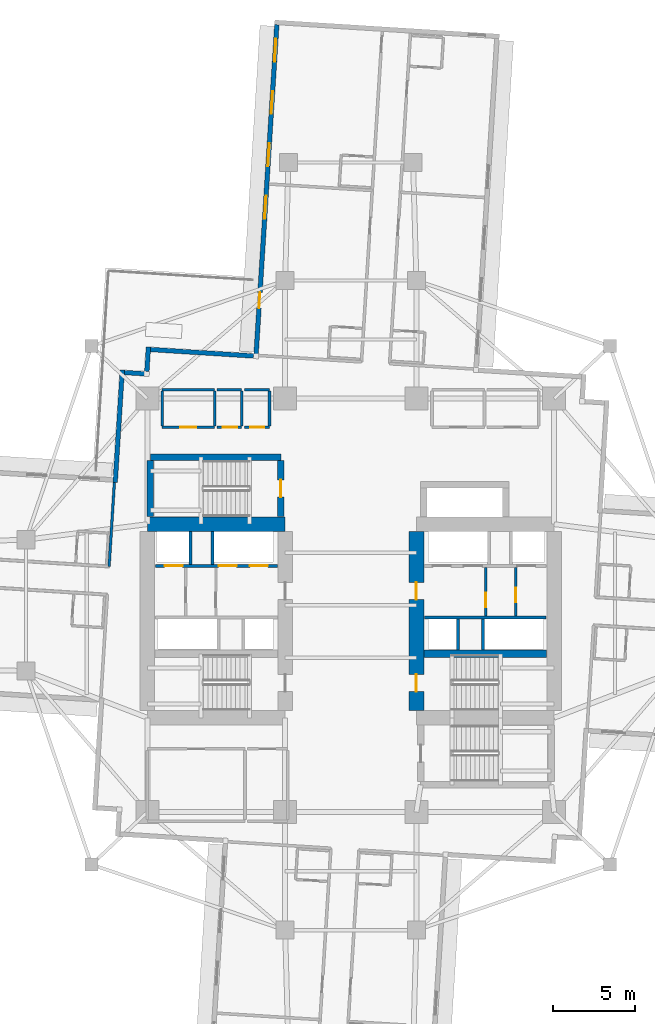
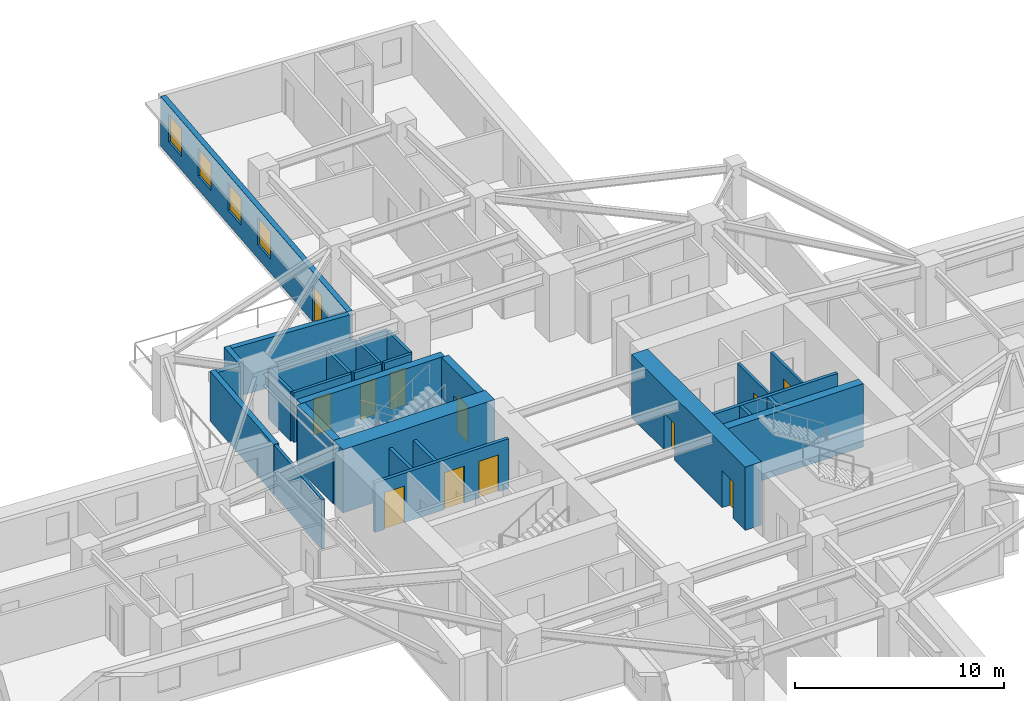
# One storey, part 6 of 14: 30 walls, 12 doors, 4 windows, 16 openings.
"""IFC4 building model written with IfcOpenShell, lengths in metres."""

from ifc_helpers import new_model, si_unit, direction, frame, frame_2d, origin, place, context, subcontext, project, spatial, rectangle, extrude, material, layer, layer_set, type_object, element, fill, save


model = new_model("IFC4")

# Units and contexts
model_context = context("Model", 3, precision=1e-05, world=origin(), true_north=direction((0.0, 1.0)))
body_context = subcontext(model_context, "Body", "Model", "MODEL_VIEW")
ifc_project = project(units=[si_unit("LENGTHUNIT", "METRE"), si_unit("AREAUNIT", "SQUARE_METRE"), si_unit("VOLUMEUNIT", "CUBIC_METRE"), si_unit("PLANEANGLEUNIT", "RADIAN"), si_unit("MASSUNIT", "GRAM", prefix="KILO")], contexts=[model_context])

# Site, building, storey
site_placement = place(None, origin())
site = spatial("IfcSite", under=ifc_project, at=site_placement, CompositionType="ELEMENT")
building_placement = place(site_placement, origin())
building = spatial("IfcBuilding", under=site, at=building_placement, Name="Qingluan Cross Belvedere", CompositionType="ELEMENT")
storey_placement = place(building_placement, frame((0.0, 0.0, 87.300048828125)))
storey = spatial("IfcBuildingStorey", under=building, at=storey_placement, Name="L22", CompositionType="ELEMENT", Elevation=87.300048828125)

# Walls
ifc_material_1 = material(Name="Concrete C50", Category="concrete")
ifc_layer_1 = layer(ifc_material_1, 0.449951171875, Name="CoreShearWall_450")
ifc_layer_set_1 = layer_set([ifc_layer_1], Name="Concrete C50")
wall_type_1 = type_object("IfcWallType", Name="CoreShearWall_450", PredefinedType="SHEAR", material=ifc_layer_set_1)
wall_1_placement = place(storey_placement, frame((4.455078125, -2.9599609375, 0.0), z_axis=(0.0, 0.0, 1.0), x_axis=(1.0, 0.0, 0.0)))
element("IfcWall", 1, at=wall_1_placement, inside=storey, type_object=wall_type_1, Name="Split core E shear wall L22-M", PredefinedType="SHEAR", context=body_context, shape_type="SweptSolid", body=[
    extrude(rectangle(XDim=7.489990234375, YDim=0.449951171875, at=frame_2d((3.7451171875, 0.0))), origin(), (0.0, 0.0, 1.0), 3.699951171875),
])
wall_2_placement = place(storey_placement, frame((-12.219970703125, 9.0400390625, 0.0), z_axis=(0.0, 0.0, 1.0), x_axis=(1.0, 0.0, 0.0)))
element("IfcWall", 2, at=wall_2_placement, inside=storey, type_object=wall_type_1, Name="Stair ST3 structural wall N L22", PredefinedType="SHEAR", context=body_context, shape_type="SweptSolid", body=[
    extrude(rectangle(XDim=7.9599609375, YDim=0.39990234375, at=frame_2d((3.97998046875, 0.0))), origin(), (0.0, 0.0, 1.0), 3.699951171875),
])
wall_3_placement = place(storey_placement, frame((-12.219970703125, 5.405029296875, 0.0), z_axis=(0.0, 0.0, 1.0), x_axis=(0.0, 1.0, 0.0)))
element("IfcWall", 3, at=wall_3_placement, inside=storey, type_object=wall_type_1, Name="Stair ST3 structural wall W L22", PredefinedType="SHEAR", context=body_context, shape_type="SweptSolid", body=[
    extrude(rectangle(XDim=3.429931640625, YDim=0.39990234375, at=frame_2d((1.71484375, 0.0))), origin(), (0.0, 0.0, 1.0), 3.699951171875),
])

# Wall, opening, door
wall_4_placement = place(storey_placement, frame((-4.260009765625, 5.405029296875, 0.0), z_axis=(0.0, 0.0, 1.0), x_axis=(0.0, 1.0, 0.0)))
wall_4 = element("IfcWall", 4, at=wall_4_placement, inside=storey, type_object=wall_type_1, Name="Stair ST3 structural wall E L22", PredefinedType="SHEAR", context=body_context, shape_type="SweptSolid", body=[
    extrude(rectangle(XDim=3.429931640625, YDim=0.39990234375, at=frame_2d((1.71484375, 0.0))), origin(), (0.0, 0.0, 1.0), 3.699951171875),
])
opening_1_placement = place(wall_4_placement, frame((1.195068359375, 0.0, 0.0)))
opening_1 = element("IfcOpeningElement", 5, at=opening_1_placement, cuts=wall_4, Name="Opening FD-B11", PredefinedType="OPENING", context=body_context, shape_type="SweptSolid", body=[
    extrude(rectangle(XDim=1.050048828125, YDim=2.14990234375, at=frame_2d((0.52490234375, 1.074951171875))), frame((0.0, 0.2099609375, 0.0), z_axis=(0.0, -1.0, 0.0), x_axis=(1.0, 0.0, 0.0)), (0.0, 0.0, 1.0), 0.419921875),
])
ifc_material_2 = material(Name="Steel Class B smoke-seal fire door", Category="steel")
door_type_1 = type_object("IfcDoorType", Name="StairLobbyFireDoor_FDB", OperationType="NOTDEFINED", PredefinedType="DOOR", material=ifc_material_2)
door_1_placement = place(opening_1_placement, origin())
door_1 = element("IfcDoor", 6, at=door_1_placement, inside=storey, type_object=door_type_1, Name="Smoke-proof stair ST3 fire door L22", OperationType="SINGLE_SWING_RIGHT", OverallHeight=2.14990234375, OverallWidth=1.050048828125, PredefinedType="DOOR", context=body_context, shape_type="SweptSolid", body=[
    extrude(rectangle(XDim=1.050048828125, YDim=2.14990234375, at=frame_2d((0.52490234375, 1.074951171875))), frame((0.0, 0.02490234375, 0.0), z_axis=(0.0, -1.0, 0.0), x_axis=(1.0, 0.0, 0.0)), (0.0, 0.0, 1.0), 0.050048828125),
])
fill(opening_1, door_1)

# Wall
ifc_material_3 = material(Name="Concrete C70", Category="concrete")
ifc_layer_2 = layer(ifc_material_3, 0.89990234375, Name="CoreShearWall_900")
ifc_layer_set_2 = layer_set([ifc_layer_2], Name="Concrete C70")
wall_type_2 = type_object("IfcWallType", Name="CoreShearWall_900", PredefinedType="SHEAR", material=ifc_layer_set_2)
wall_5_placement = place(storey_placement, frame((-12.39990234375, 4.949951171875, 0.0), z_axis=(0.0, 0.0, 1.0), x_axis=(1.0, 0.0, 0.0)))
element("IfcWall", 7, at=wall_5_placement, inside=storey, type_object=wall_type_2, Name="Split core W shear wall L22-N", PredefinedType="SHEAR", context=body_context, shape_type="SweptSolid", body=[
    extrude(rectangle(XDim=8.39990234375, YDim=0.89990234375, at=frame_2d((4.199951171875, 0.0))), origin(), (0.0, 0.0, 1.0), 3.699951171875),
])

# Wall, openings, doors
wall_6_placement = place(storey_placement, frame((4.0, -6.39501953125, 0.0), z_axis=(0.0, 0.0, 1.0), x_axis=(0.0, 1.0, 0.0)))
wall_6 = element("IfcWall", 8, at=wall_6_placement, inside=storey, type_object=wall_type_2, Name="Split core E shear wall L22-W", PredefinedType="SHEAR", context=body_context, shape_type="SweptSolid", body=[
    extrude(rectangle(XDim=10.89013671875, YDim=0.89990234375, at=frame_2d((5.445068359375, 0.0))), origin(), (0.0, 0.0, 1.0), 3.699951171875),
])
opening_2_placement = place(wall_6_placement, frame((1.14501953125, 0.0, 0.0)))
opening_2 = element("IfcOpeningElement", 9, at=opening_2_placement, cuts=wall_6, Name="Opening FD-B11", PredefinedType="OPENING", context=body_context, shape_type="SweptSolid", body=[
    extrude(rectangle(XDim=1.050048828125, YDim=2.14990234375, at=frame_2d((0.52490234375, 1.074951171875))), frame((0.0, 0.4599609375, 0.0), z_axis=(0.0, -1.0, 0.0), x_axis=(1.0, 0.0, 0.0)), (0.0, 0.0, 1.0), 0.919921875),
])
opening_3_placement = place(wall_6_placement, frame((6.7451171875, 0.0, 0.0)))
opening_3 = element("IfcOpeningElement", 10, at=opening_3_placement, cuts=wall_6, Name="Opening FD-B11", PredefinedType="OPENING", context=body_context, shape_type="SweptSolid", body=[
    extrude(rectangle(XDim=1.050048828125, YDim=2.14990234375, at=frame_2d((0.52490234375, 1.074951171875))), frame((0.0, 0.4599609375, 0.0), z_axis=(0.0, -1.0, 0.0), x_axis=(1.0, 0.0, 0.0)), (0.0, 0.0, 1.0), 0.919921875),
])
door_2_placement = place(opening_2_placement, origin())
door_2 = element("IfcDoor", 11, at=door_2_placement, inside=storey, type_object=door_type_1, Name="Smoke-proof stair ST2 fire door L22", OperationType="SINGLE_SWING_LEFT", OverallHeight=2.14990234375, OverallWidth=1.050048828125, PredefinedType="DOOR", context=body_context, shape_type="SweptSolid", body=[
    extrude(rectangle(XDim=1.050048828125, YDim=2.14990234375, at=frame_2d((0.52490234375, 1.074951171875))), frame((0.0, 0.02490234375, 0.0), z_axis=(0.0, -1.0, 0.0), x_axis=(1.0, 0.0, 0.0)), (0.0, 0.0, 1.0), 0.050048828125),
])
fill(opening_2, door_2)
door_3_placement = place(opening_3_placement, origin())
door_3 = element("IfcDoor", 12, at=door_3_placement, inside=storey, type_object=door_type_1, Name="Firefighting lobby East fire door L22", OperationType="SINGLE_SWING_LEFT", OverallHeight=2.14990234375, OverallWidth=1.050048828125, PredefinedType="DOOR", context=body_context, shape_type="SweptSolid", body=[
    extrude(rectangle(XDim=1.050048828125, YDim=2.14990234375, at=frame_2d((0.52490234375, 1.074951171875))), frame((0.0, 0.02490234375, 0.0), z_axis=(0.0, -1.0, 0.0), x_axis=(1.0, 0.0, 0.0)), (0.0, 0.0, 1.0), 0.050048828125),
])
fill(opening_3, door_3)

# Wall, opening, door
ifc_material_4 = material(Name="Gypsum plasterboard on steel stud acoustic partition", Category="steel")
ifc_layer_3 = layer(ifc_material_4, 0.159912109375, Name="CorridorPartition_160")
ifc_layer_set_3 = layer_set([ifc_layer_3], Name="Gypsum plasterboard on steel stud acoustic partition")
wall_type_3 = type_object("IfcWallType", Name="CorridorPartition_160", PredefinedType="PARTITIONING", material=ifc_layer_set_3)
wall_7_placement = place(storey_placement, frame((10.050048828125, -0.652099609375, 0.0), z_axis=(0.0, 0.0, 1.0), x_axis=(0.0, 1.0, 0.0)))
wall_7 = element("IfcWall", 13, at=wall_7_placement, inside=storey, type_object=wall_type_3, Name="Partition L22:ev", PredefinedType="PARTITIONING", context=body_context, shape_type="SweptSolid", body=[
    extrude(rectangle(XDim=2.962158203125, YDim=0.139892578125, at=frame_2d((1.48095703125, 0.0))), origin(), (0.0, 0.0, 1.0), 2.89990234375),
])
opening_4_placement = place(wall_7_placement, frame((0.85009765625, 0.0, 0.0)))
opening_4 = element("IfcOpeningElement", 14, at=opening_4_placement, cuts=wall_7, Name="Opening FD-B10", PredefinedType="OPENING", context=body_context, shape_type="SweptSolid", body=[
    extrude(rectangle(XDim=0.8798828125, YDim=2.10009765625, at=frame_2d((0.43994140625, 1.050048828125))), frame((0.0, 0.079833984375, 0.0), z_axis=(0.0, -1.0, 0.0), x_axis=(1.0, 0.0, 0.0)), (0.0, 0.0, 1.0), 0.159912109375),
])
ifc_material_5 = material(Name="Steel Class B service fire door", Category="steel")
door_type_2 = type_object("IfcDoorType", Name="RiserServiceFireDoor_FDB", OperationType="NOTDEFINED", PredefinedType="DOOR", material=ifc_material_5)
door_4_placement = place(opening_4_placement, origin())
door_4 = element("IfcDoor", 15, at=door_4_placement, inside=storey, type_object=door_type_2, Name="Service closet inner door L22", OperationType="SINGLE_SWING_LEFT", OverallHeight=2.10009765625, OverallWidth=0.8798828125, PredefinedType="DOOR", context=body_context, shape_type="SweptSolid", body=[
    extrude(rectangle(XDim=0.8798828125, YDim=2.10009765625, at=frame_2d((0.43994140625, 1.050048828125))), frame((0.0, 0.02490234375, 0.0), z_axis=(0.0, -1.0, 0.0), x_axis=(1.0, 0.0, 0.0)), (0.0, 0.0, 1.0), 0.050048828125),
])
fill(opening_4, door_4)

wall_8_placement = place(storey_placement, frame((-11.5, 10.85009765625, 0.0), z_axis=(0.0, 0.0, 1.0), x_axis=(1.0, 0.0, 0.0)))
wall_8 = element("IfcWall", 16, at=wall_8_placement, inside=storey, type_object=wall_type_3, Name="Partition L22:q_nw_occ:S", PredefinedType="PARTITIONING", context=body_context, shape_type="SweptSolid", body=[
    extrude(rectangle(XDim=3.199951171875, YDim=0.159912109375, at=frame_2d((1.60009765625, 0.0))), origin(), (0.0, 0.0, 1.0), 2.89990234375),
])
opening_5_placement = place(wall_8_placement, frame((1.1201171875, 0.0, 0.0)))
opening_5 = element("IfcOpeningElement", 17, at=opening_5_placement, cuts=wall_8, Name="Opening GD-10", PredefinedType="OPENING", context=body_context, shape_type="SweptSolid", body=[
    extrude(rectangle(XDim=0.9599609375, YDim=2.14990234375, at=frame_2d((0.47998046875, 1.074951171875))), frame((0.0, 0.08984375, 0.0), z_axis=(0.0, -1.0, 0.0), x_axis=(1.0, 0.0, 0.0)), (0.0, 0.0, 1.0), 0.179931640625),
])
ifc_material_6 = material(Name="Timber oak fire-rated acoustic guestroom door", Category="wood")
door_type_3 = type_object("IfcDoorType", Name="GuestEntryDoor_FD60", OperationType="NOTDEFINED", PredefinedType="DOOR", material=ifc_material_6)
door_5_placement = place(opening_5_placement, origin())
door_5 = element("IfcDoor", 18, at=door_5_placement, inside=storey, type_object=door_type_3, Name="Northwest corner reading salon L22 door", OperationType="SINGLE_SWING_RIGHT", OverallHeight=2.14990234375, OverallWidth=0.9599609375, PredefinedType="DOOR", context=body_context, shape_type="SweptSolid", body=[
    extrude(rectangle(XDim=0.9599609375, YDim=2.14990234375, at=frame_2d((0.47998046875, 1.074951171875))), frame((0.0, 0.02490234375, 0.0), z_axis=(0.0, -1.0, 0.0), x_axis=(1.0, 0.0, 0.0)), (0.0, 0.0, 1.0), 0.050048828125),
])
fill(opening_5, door_5)

# Walls
wall_9_placement = place(storey_placement, frame((-11.5, 13.14990234375, 0.0), z_axis=(0.0, 0.0, 1.0), x_axis=(1.0, 0.0, 0.0)))
element("IfcWall", 19, at=wall_9_placement, inside=storey, type_object=wall_type_3, Name="Partition L22:q_nw_occ:N", PredefinedType="PARTITIONING", context=body_context, shape_type="SweptSolid", body=[
    extrude(rectangle(XDim=3.199951171875, YDim=0.159912109375, at=frame_2d((1.60009765625, 0.0))), origin(), (0.0, 0.0, 1.0), 2.89990234375),
])
for number, where, z_axis, x_axis, name in (
    (20, (-11.5, 10.93505859375, 0.0), (0.0, 0.0, 1.0), (0.0, 1.0, 0.0), "Partition L22:q_nw_occ:W"),
    (21, (-8.300048828125, 10.93505859375, 0.0), (0.0, 0.0, 1.0), (0.0, 1.0, 0.0), "Partition L22:q_nw_occ:E"),
):
    element("IfcWall", number, at=place(storey_placement, frame(where, z_axis=z_axis, x_axis=x_axis)), inside=storey, type_object=wall_type_3, Name=name, PredefinedType="PARTITIONING", context=body_context, shape_type="SweptSolid", body=[
        extrude(rectangle(XDim=2.1298828125, YDim=0.159912109375, at=frame_2d((1.06494140625, 0.0))), origin(), (0.0, 0.0, 1.0), 2.89990234375),
    ])

# Wall, opening, door
wall_10_placement = place(storey_placement, frame((-8.139892578125, 10.85009765625, 0.0), z_axis=(0.0, 0.0, 1.0), x_axis=(1.0, 0.0, 0.0)))
wall_10 = element("IfcWall", 22, at=wall_10_placement, inside=storey, type_object=wall_type_3, Name="Partition L22:hk_linen:S", PredefinedType="PARTITIONING", context=body_context, shape_type="SweptSolid", body=[
    extrude(rectangle(XDim=1.489990234375, YDim=0.159912109375, at=frame_2d((0.7451171875, 0.0))), origin(), (0.0, 0.0, 1.0), 2.89990234375),
])
opening_6_placement = place(wall_10_placement, frame((0.35009765625, 0.0, 0.0)))
opening_6 = element("IfcOpeningElement", 23, at=opening_6_placement, cuts=wall_10, Name="Opening FD-B10", PredefinedType="OPENING", context=body_context, shape_type="SweptSolid", body=[
    extrude(rectangle(XDim=0.8798828125, YDim=2.10009765625, at=frame_2d((0.43994140625, 1.050048828125))), frame((0.0, 0.08984375, 0.0), z_axis=(0.0, -1.0, 0.0), x_axis=(1.0, 0.0, 0.0)), (0.0, 0.0, 1.0), 0.179931640625),
])
door_6_placement = place(opening_6_placement, origin())
door_6 = element("IfcDoor", 24, at=door_6_placement, inside=storey, type_object=door_type_2, Name="Housekeeping and linen store L22 door", OperationType="SINGLE_SWING_LEFT", OverallHeight=2.10009765625, OverallWidth=0.8798828125, PredefinedType="DOOR", context=body_context, shape_type="SweptSolid", body=[
    extrude(rectangle(XDim=0.8798828125, YDim=2.10009765625, at=frame_2d((0.43994140625, 1.050048828125))), frame((0.0, 0.02490234375, 0.0), z_axis=(0.0, -1.0, 0.0), x_axis=(1.0, 0.0, 0.0)), (0.0, 0.0, 1.0), 0.050048828125),
])
fill(opening_6, door_6)

# Walls
wall_11_placement = place(storey_placement, frame((-8.139892578125, 13.14990234375, 0.0), z_axis=(0.0, 0.0, 1.0), x_axis=(1.0, 0.0, 0.0)))
element("IfcWall", 25, at=wall_11_placement, inside=storey, type_object=wall_type_3, Name="Partition L22:hk_linen:N", PredefinedType="PARTITIONING", context=body_context, shape_type="SweptSolid", body=[
    extrude(rectangle(XDim=1.489990234375, YDim=0.159912109375, at=frame_2d((0.7451171875, 0.0))), origin(), (0.0, 0.0, 1.0), 2.89990234375),
])
wall_12_placement = place(storey_placement, frame((-6.64990234375, 10.93505859375, 0.0), z_axis=(0.0, 0.0, 1.0), x_axis=(0.0, 1.0, 0.0)))
element("IfcWall", 26, at=wall_12_placement, inside=storey, type_object=wall_type_3, Name="Partition L22:hk_linen:E", PredefinedType="PARTITIONING", context=body_context, shape_type="SweptSolid", body=[
    extrude(rectangle(XDim=2.1298828125, YDim=0.159912109375, at=frame_2d((1.06494140625, 0.0))), origin(), (0.0, 0.0, 1.0), 2.89990234375),
])

# Wall, opening, door
wall_13_placement = place(storey_placement, frame((-6.489990234375, 10.85009765625, 0.0), z_axis=(0.0, 0.0, 1.0), x_axis=(1.0, 0.0, 0.0)))
wall_13 = element("IfcWall", 27, at=wall_13_placement, inside=storey, type_object=wall_type_3, Name="Partition L22:floor_acc_wc:S", PredefinedType="PARTITIONING", context=body_context, shape_type="SweptSolid", body=[
    extrude(rectangle(XDim=1.5400390625, YDim=0.159912109375, at=frame_2d((0.77001953125, 0.0))), origin(), (0.0, 0.0, 1.0), 2.89990234375),
])
opening_7_placement = place(wall_13_placement, frame((0.35009765625, 0.0, 0.0)))
opening_7 = element("IfcOpeningElement", 28, at=opening_7_placement, cuts=wall_13, Name="Opening BD-08", PredefinedType="OPENING", context=body_context, shape_type="SweptSolid", body=[
    extrude(rectangle(XDim=0.8798828125, YDim=2.14990234375, at=frame_2d((0.43994140625, 1.074951171875))), frame((0.0, 0.08984375, 0.0), z_axis=(0.0, -1.0, 0.0), x_axis=(1.0, 0.0, 0.0)), (0.0, 0.0, 1.0), 0.179931640625),
])
ifc_material_7 = material(Name="Moisture-sealed timber accessible WC door", Category="wood")
door_type_4 = type_object("IfcDoorType", Name="AccessibleWCDoor_880", OperationType="NOTDEFINED", PredefinedType="DOOR", material=ifc_material_7)
door_7_placement = place(opening_7_placement, origin())
door_7 = element("IfcDoor", 29, at=door_7_placement, inside=storey, type_object=door_type_4, Name="Accessible guest washroom L22 door", OperationType="SINGLE_SWING_RIGHT", OverallHeight=2.14990234375, OverallWidth=0.8798828125, PredefinedType="DOOR", context=body_context, shape_type="SweptSolid", body=[
    extrude(rectangle(XDim=0.8798828125, YDim=2.14990234375, at=frame_2d((0.43994140625, 1.074951171875))), frame((0.0, 0.02490234375, 0.0), z_axis=(0.0, -1.0, 0.0), x_axis=(1.0, 0.0, 0.0)), (0.0, 0.0, 1.0), 0.050048828125),
])
fill(opening_7, door_7)

# Walls
wall_14_placement = place(storey_placement, frame((-6.489990234375, 13.14990234375, 0.0), z_axis=(0.0, 0.0, 1.0), x_axis=(1.0, 0.0, 0.0)))
element("IfcWall", 30, at=wall_14_placement, inside=storey, type_object=wall_type_3, Name="Partition L22:floor_acc_wc:N", PredefinedType="PARTITIONING", context=body_context, shape_type="SweptSolid", body=[
    extrude(rectangle(XDim=1.5400390625, YDim=0.159912109375, at=frame_2d((0.77001953125, 0.0))), origin(), (0.0, 0.0, 1.0), 2.89990234375),
])
wall_15_placement = place(storey_placement, frame((-4.949951171875, 10.93505859375, 0.0), z_axis=(0.0, 0.0, 1.0), x_axis=(0.0, 1.0, 0.0)))
element("IfcWall", 31, at=wall_15_placement, inside=storey, type_object=wall_type_3, Name="Partition L22:floor_acc_wc:E", PredefinedType="PARTITIONING", context=body_context, shape_type="SweptSolid", body=[
    extrude(rectangle(XDim=2.1298828125, YDim=0.159912109375, at=frame_2d((1.06494140625, 0.0))), origin(), (0.0, 0.0, 1.0), 2.89990234375),
])
wall_16_placement = place(storey_placement, frame((-14.730224609375, 2.36962890625, 0.0), z_axis=(0.0, 0.0, 1.0), x_axis=(0.062795883315, 0.998026390953, 0.0)))
element("IfcWall", 32, at=wall_16_placement, inside=storey, type_object=wall_type_3, Name="Partition L22:W:s0", PredefinedType="PARTITIONING", context=body_context, shape_type="SweptSolid", body=[
    extrude(rectangle(XDim=5.1318359375, YDim=0.159912109375, at=frame_2d((2.56591796875, 0.0))), origin(), (0.0, 0.0, 1.0), 2.89990234375),
])

# Wall, openings, windows, door
ifc_material_8 = material(Name="Precast concrete C45", Category="concrete")
ifc_layer_4 = layer(ifc_material_8, 0.280029296875, Name="PrecastFacadeWall_280")
ifc_layer_set_4 = layer_set([ifc_layer_4], Name="Precast concrete C45")
wall_type_4 = type_object("IfcWallType", Name="PrecastFacadeWall_280", PredefinedType="STANDARD", material=ifc_layer_set_4)
wall_17_placement = place(storey_placement, frame((-4.506591796875, 35.392822265625, 0.0), z_axis=(0.0, 0.0, 1.0), x_axis=(-0.062784355807, -0.998027116198, 0.0)))
wall_17 = element("IfcWall", 33, at=wall_17_placement, inside=storey, type_object=wall_type_4, Name="Facade wall L22-NB", PredefinedType="STANDARD", context=body_context, shape_type="SweptSolid", body=[
    extrude(rectangle(XDim=20.099853515625, YDim=0.280029296875, at=frame_2d((10.0498046875, 0.0))), origin(), (0.0, 0.0, 1.0), 2.909912109375),
])
opening_8_placement = place(wall_17_placement, frame((0.85009765625, 0.0, 0.800048828125)))
opening_8 = element("IfcOpeningElement", 34, at=opening_8_placement, cuts=wall_17, Name="Opening W-01", PredefinedType="OPENING", context=body_context, shape_type="SweptSolid", body=[
    extrude(rectangle(XDim=1.39990234375, YDim=1.60009765625, at=frame_2d((0.699951171875, 0.800048828125))), frame((0.0, 0.14990234375, 0.0), z_axis=(0.0, -1.0, 0.0), x_axis=(1.0, 0.0, 0.0)), (0.0, 0.0, 1.0), 0.300048828125),
])
opening_9_placement = place(wall_17_placement, frame((4.050048828125, 0.0, 0.800048828125)))
opening_9 = element("IfcOpeningElement", 35, at=opening_9_placement, cuts=wall_17, Name="Opening W-01", PredefinedType="OPENING", context=body_context, shape_type="SweptSolid", body=[
    extrude(rectangle(XDim=1.39990234375, YDim=1.60009765625, at=frame_2d((0.699951171875, 0.800048828125))), frame((0.0, 0.14990234375, 0.0), z_axis=(0.0, -1.0, 0.0), x_axis=(1.0, 0.0, 0.0)), (0.0, 0.0, 1.0), 0.300048828125),
])
opening_10_placement = place(wall_17_placement, frame((7.25, 0.0, 0.800048828125)))
opening_10 = element("IfcOpeningElement", 36, at=opening_10_placement, cuts=wall_17, Name="Opening W-01", PredefinedType="OPENING", context=body_context, shape_type="SweptSolid", body=[
    extrude(rectangle(XDim=1.39990234375, YDim=1.60009765625, at=frame_2d((0.699951171875, 0.800048828125))), frame((0.0, 0.14990234375, 0.0), z_axis=(0.0, -1.0, 0.0), x_axis=(1.0, 0.0, 0.0)), (0.0, 0.0, 1.0), 0.300048828125),
])
opening_11_placement = place(wall_17_placement, frame((10.449951171875, 0.0, 0.800048828125)))
opening_11 = element("IfcOpeningElement", 37, at=opening_11_placement, cuts=wall_17, Name="Opening W-01", PredefinedType="OPENING", context=body_context, shape_type="SweptSolid", body=[
    extrude(rectangle(XDim=1.39990234375, YDim=1.60009765625, at=frame_2d((0.699951171875, 0.800048828125))), frame((0.0, 0.14990234375, 0.0), z_axis=(0.0, -1.0, 0.0), x_axis=(1.0, 0.0, 0.0)), (0.0, 0.0, 1.0), 0.300048828125),
])
opening_12_placement = place(wall_17_placement, frame((16.35009765625, 0.0, 0.0)))
opening_12 = element("IfcOpeningElement", 38, at=opening_12_placement, cuts=wall_17, Name="Opening WD-10", PredefinedType="OPENING", context=body_context, shape_type="SweptSolid", body=[
    extrude(rectangle(XDim=0.9599609375, YDim=2.10009765625, at=frame_2d((0.47998046875, 1.050048828125))), frame((0.0, 0.14990234375, 0.0), z_axis=(0.0, -1.0, 0.0), x_axis=(1.0, 0.0, 0.0)), (0.0, 0.0, 1.0), 0.300048828125),
])
ifc_material_9 = material(Name="Thermally broken triple Low-E glass in aluminium frame", Category="aluminium")
window_type = type_object("IfcWindowType", Name="TriRibbonWin_1400x1600", PartitioningType="SINGLE_PANEL", PredefinedType="WINDOW", material=ifc_material_9)
window_1_placement = place(opening_8_placement, origin())
window_1 = element("IfcWindow", 39, at=window_1_placement, inside=storey, type_object=window_type, Name="Ribbon window L22-NB-1", OverallHeight=1.60009765625, OverallWidth=1.39990234375, PartitioningType="SINGLE_PANEL", PredefinedType="WINDOW", context=body_context, shape_type="SweptSolid", body=[
    extrude(rectangle(XDim=1.39990234375, YDim=1.60009765625, at=frame_2d((0.699951171875, 0.800048828125))), frame((0.0, 0.030029296875, 0.0), z_axis=(0.0, -1.0, 0.0), x_axis=(1.0, 0.0, 0.0)), (0.0, 0.0, 1.0), 0.06005859375),
])
fill(opening_8, window_1)
window_2_placement = place(opening_9_placement, origin())
window_2 = element("IfcWindow", 40, at=window_2_placement, inside=storey, type_object=window_type, Name="Ribbon window L22-NB-2", OverallHeight=1.60009765625, OverallWidth=1.39990234375, PartitioningType="SINGLE_PANEL", PredefinedType="WINDOW", context=body_context, shape_type="SweptSolid", body=[
    extrude(rectangle(XDim=1.39990234375, YDim=1.60009765625, at=frame_2d((0.699951171875, 0.800048828125))), frame((0.0, 0.030029296875, 0.0), z_axis=(0.0, -1.0, 0.0), x_axis=(1.0, 0.0, 0.0)), (0.0, 0.0, 1.0), 0.06005859375),
])
fill(opening_9, window_2)
window_3_placement = place(opening_10_placement, origin())
window_3 = element("IfcWindow", 41, at=window_3_placement, inside=storey, type_object=window_type, Name="Ribbon window L22-NB-3", OverallHeight=1.60009765625, OverallWidth=1.39990234375, PartitioningType="SINGLE_PANEL", PredefinedType="WINDOW", context=body_context, shape_type="SweptSolid", body=[
    extrude(rectangle(XDim=1.39990234375, YDim=1.60009765625, at=frame_2d((0.699951171875, 0.800048828125))), frame((0.0, 0.030029296875, 0.0), z_axis=(0.0, -1.0, 0.0), x_axis=(1.0, 0.0, 0.0)), (0.0, 0.0, 1.0), 0.06005859375),
])
fill(opening_10, window_3)
window_4_placement = place(opening_11_placement, origin())
window_4 = element("IfcWindow", 42, at=window_4_placement, inside=storey, type_object=window_type, Name="Ribbon window L22-NB-4", OverallHeight=1.60009765625, OverallWidth=1.39990234375, PartitioningType="SINGLE_PANEL", PredefinedType="WINDOW", context=body_context, shape_type="SweptSolid", body=[
    extrude(rectangle(XDim=1.39990234375, YDim=1.60009765625, at=frame_2d((0.699951171875, 0.800048828125))), frame((0.0, 0.030029296875, 0.0), z_axis=(0.0, -1.0, 0.0), x_axis=(1.0, 0.0, 0.0)), (0.0, 0.0, 1.0), 0.06005859375),
])
fill(opening_11, window_4)
ifc_material_10 = material(Name="Thermally broken aluminium and Low-E glass", Category="aluminium")
door_type_5 = type_object("IfcDoorType", Name="WinterGardenDoor_096", OperationType="NOTDEFINED", PredefinedType="DOOR", material=ifc_material_10)
door_8_placement = place(opening_12_placement, origin())
door_8 = element("IfcDoor", 43, at=door_8_placement, inside=storey, type_object=door_type_5, Name="Outdoor terrace access door L22-spi", OperationType="SINGLE_SWING_RIGHT", OverallHeight=2.10009765625, OverallWidth=0.9599609375, PredefinedType="DOOR", context=body_context, shape_type="SweptSolid", body=[
    extrude(rectangle(XDim=0.9599609375, YDim=2.10009765625, at=frame_2d((0.47998046875, 1.050048828125))), frame((0.0, 0.02490234375, 0.0), z_axis=(0.0, -1.0, 0.0), x_axis=(1.0, 0.0, 0.0)), (0.0, 0.0, 1.0), 0.050048828125),
])
fill(opening_12, door_8)

# Walls
wall_18_placement = place(storey_placement, frame((-14.357666015625, 7.496337890625, 0.0), z_axis=(0.0, 0.0, 1.0), x_axis=(0.062779317195, 0.998027433156, 0.0)))
element("IfcWall", 44, at=wall_18_placement, inside=storey, type_object=wall_type_4, Name="Corner wall L22-NW1", PredefinedType="STANDARD", context=body_context, shape_type="SweptSolid", body=[
    extrude(rectangle(XDim=6.85986328125, YDim=0.280029296875, at=frame_2d((3.429931640625, 0.0))), origin(), (0.0, 0.0, 1.0), 2.909912109375),
])
wall_19_placement = place(storey_placement, frame((-13.7958984375, 14.1943359375, 0.0), z_axis=(0.0, 0.0, 1.0), x_axis=(0.998023660242, -0.06283926796, 0.0)))
element("IfcWall", 45, at=wall_19_placement, inside=storey, type_object=wall_type_4, Name="Corner wall L22-NW2", PredefinedType="STANDARD", context=body_context, shape_type="SweptSolid", body=[
    extrude(rectangle(XDim=1.219970703125, YDim=0.280029296875, at=frame_2d((0.60986328125, 0.0))), origin(), (0.0, 0.0, 1.0), 2.909912109375),
])
wall_20_placement = place(storey_placement, frame((-12.429931640625, 14.24853515625, 0.0), z_axis=(0.0, 0.0, 1.0), x_axis=(0.062824119533, 0.998024613927, 0.0)))
element("IfcWall", 46, at=wall_20_placement, inside=storey, type_object=wall_type_4, Name="Corner wall L22-NW3", PredefinedType="STANDARD", context=body_context, shape_type="SweptSolid", body=[
    extrude(rectangle(XDim=1.5, YDim=0.280029296875, at=frame_2d((0.75, 0.0))), origin(), (0.0, 0.0, 1.0), 2.909912109375),
])
wall_21_placement = place(storey_placement, frame((-12.20458984375, 15.59716796875, 0.0), z_axis=(0.0, 0.0, 1.0), x_axis=(0.998024885752, -0.062819801181, 0.0)))
element("IfcWall", 47, at=wall_21_placement, inside=storey, type_object=wall_type_4, Name="Corner wall L22-NW4", PredefinedType="STANDARD", context=body_context, shape_type="SweptSolid", body=[
    extrude(rectangle(XDim=6.2998046875, YDim=0.280029296875, at=frame_2d((3.14990234375, 0.0))), origin(), (0.0, 0.0, 1.0), 2.909912109375),
])

# Wall, openings, doors
ifc_material_11 = material(Name="Concrete C40", Category="concrete")
ifc_layer_5 = layer(ifc_material_11, 0.219970703125, Name="ShaftEnclosureWall_250")
ifc_layer_set_5 = layer_set([ifc_layer_5], Name="Concrete C40")
wall_type_5 = type_object("IfcWallType", Name="ShaftEnclosureWall_250", PredefinedType="SOLIDWALL", material=ifc_layer_set_5)
wall_22_placement = place(storey_placement, frame((-11.89990234375, 2.409912109375, 0.0), z_axis=(0.0, 0.0, 1.0), x_axis=(1.0, 0.0, 0.0)))
wall_22 = element("IfcWall", 48, at=wall_22_placement, inside=storey, type_object=wall_type_5, Name="Core-W north hoistway wall L22", PredefinedType="SOLIDWALL", context=body_context, shape_type="SweptSolid", body=[
    extrude(rectangle(XDim=7.419921875, YDim=0.179931640625, at=frame_2d((3.7099609375, 0.0))), origin(), (0.0, 0.0, 1.0), 2.89990234375),
])
opening_13_placement = place(wall_22_placement, frame((0.550048828125, 0.0, 0.0)))
opening_13 = element("IfcOpeningElement", 49, at=opening_13_placement, cuts=wall_22, Name="Opening LD-11", PredefinedType="OPENING", context=body_context, shape_type="SweptSolid", body=[
    extrude(rectangle(XDim=1.10009765625, YDim=2.14990234375, at=frame_2d((0.550048828125, 1.074951171875))), frame((0.0, 0.099853515625, 0.0), z_axis=(0.0, -1.0, 0.0), x_axis=(1.0, 0.0, 0.0)), (0.0, 0.0, 1.0), 0.199951171875),
])
opening_14_placement = place(wall_22_placement, frame((3.85009765625, 0.0, 0.0)))
opening_14 = element("IfcOpeningElement", 50, at=opening_14_placement, cuts=wall_22, Name="Opening LD-11", PredefinedType="OPENING", context=body_context, shape_type="SweptSolid", body=[
    extrude(rectangle(XDim=1.10009765625, YDim=2.14990234375, at=frame_2d((0.550048828125, 1.074951171875))), frame((0.0, 0.099853515625, 0.0), z_axis=(0.0, -1.0, 0.0), x_axis=(1.0, 0.0, 0.0)), (0.0, 0.0, 1.0), 0.199951171875),
])
opening_15_placement = place(wall_22_placement, frame((5.75, 0.0, 0.0)))
opening_15 = element("IfcOpeningElement", 51, at=opening_15_placement, cuts=wall_22, Name="Opening LD-11", PredefinedType="OPENING", context=body_context, shape_type="SweptSolid", body=[
    extrude(rectangle(XDim=1.10009765625, YDim=2.14990234375, at=frame_2d((0.550048828125, 1.074951171875))), frame((0.0, 0.099853515625, 0.0), z_axis=(0.0, -1.0, 0.0), x_axis=(1.0, 0.0, 0.0)), (0.0, 0.0, 1.0), 0.199951171875),
])
ifc_material_12 = material(Name="Brushed stainless steel centre-opening lift landing door", Category="steel")
door_type_6 = type_object("IfcDoorType", Name="LiftLandingSlidingDoor_1100", OperationType="DOUBLE_DOOR_SLIDING", PredefinedType="DOOR", material=ifc_material_12)
door_9_placement = place(opening_13_placement, origin())
door_9 = element("IfcDoor", 52, at=door_9_placement, inside=storey, type_object=door_type_6, Name="Lift landing sliding door FL1 L22", OperationType="DOUBLE_DOOR_SLIDING", OverallHeight=2.14990234375, OverallWidth=1.10009765625, PredefinedType="DOOR", context=body_context, shape_type="SweptSolid", body=[
    extrude(rectangle(XDim=1.10009765625, YDim=2.14990234375, at=frame_2d((0.550048828125, 1.074951171875))), frame((0.0, 0.02490234375, 0.0), z_axis=(0.0, -1.0, 0.0), x_axis=(1.0, 0.0, 0.0)), (0.0, 0.0, 1.0), 0.050048828125),
])
fill(opening_13, door_9)
door_10_placement = place(opening_14_placement, origin())
door_10 = element("IfcDoor", 53, at=door_10_placement, inside=storey, type_object=door_type_6, Name="Lift landing sliding door LP1 L22", OperationType="DOUBLE_DOOR_SLIDING", OverallHeight=2.14990234375, OverallWidth=1.10009765625, PredefinedType="DOOR", context=body_context, shape_type="SweptSolid", body=[
    extrude(rectangle(XDim=1.10009765625, YDim=2.14990234375, at=frame_2d((0.550048828125, 1.074951171875))), frame((0.0, 0.02490234375, 0.0), z_axis=(0.0, -1.0, 0.0), x_axis=(1.0, 0.0, 0.0)), (0.0, 0.0, 1.0), 0.050048828125),
])
fill(opening_14, door_10)
door_11_placement = place(opening_15_placement, origin())
door_11 = element("IfcDoor", 54, at=door_11_placement, inside=storey, type_object=door_type_6, Name="Lift landing sliding door LP2 L22", OperationType="DOUBLE_DOOR_SLIDING", OverallHeight=2.14990234375, OverallWidth=1.10009765625, PredefinedType="DOOR", context=body_context, shape_type="SweptSolid", body=[
    extrude(rectangle(XDim=1.10009765625, YDim=2.14990234375, at=frame_2d((0.550048828125, 1.074951171875))), frame((0.0, 0.02490234375, 0.0), z_axis=(0.0, -1.0, 0.0), x_axis=(1.0, 0.0, 0.0)), (0.0, 0.0, 1.0), 0.050048828125),
])
fill(opening_15, door_11)

# Walls
wall_23_placement = place(storey_placement, frame((4.47998046875, -0.75, 0.0), z_axis=(0.0, 0.0, 1.0), x_axis=(1.0, 0.0, 0.0)))
element("IfcWall", 55, at=wall_23_placement, inside=storey, type_object=wall_type_5, Name="Core-E mid hoistway wall L22", PredefinedType="SOLIDWALL", context=body_context, shape_type="SweptSolid", body=[
    extrude(rectangle(XDim=7.419921875, YDim=0.179931640625, at=frame_2d((3.7099609375, 0.0))), origin(), (0.0, 0.0, 1.0), 2.89990234375),
])
for number, where, z_axis, x_axis, name in (
    (56, (-9.760009765625, 2.5, 0.0), (0.0, 0.0, 1.0), (0.0, 1.0, 0.0), "Hoistway enclosure divider FL1E L22"),
    (57, (-8.43994140625, 2.5, 0.0), (0.0, 0.0, 1.0), (0.0, 1.0, 0.0), "Hoistway enclosure divider LP1W L22"),
):
    element("IfcWall", number, at=place(storey_placement, frame(where, z_axis=z_axis, x_axis=x_axis)), inside=storey, type_object=wall_type_5, Name=name, PredefinedType="SOLIDWALL", context=body_context, shape_type="SweptSolid", body=[
        extrude(rectangle(XDim=1.989990234375, YDim=0.179931640625, at=frame_2d((0.9951171875, 0.0))), origin(), (0.0, 0.0, 1.0), 2.89990234375),
    ])
for number, where, z_axis, x_axis, name in (
    (58, (6.5400390625, -2.72998046875, 0.0), (0.0, 0.0, 1.0), (0.0, 1.0, 0.0), "Hoistway enclosure divider LP7E L22"),
    (59, (8.06005859375, -2.72998046875, 0.0), (0.0, 0.0, 1.0), (0.0, 1.0, 0.0), "Hoistway enclosure divider LP9W L22"),
):
    element("IfcWall", number, at=place(storey_placement, frame(where, z_axis=z_axis, x_axis=x_axis)), inside=storey, type_object=wall_type_5, Name=name, PredefinedType="SOLIDWALL", context=body_context, shape_type="SweptSolid", body=[
        extrude(rectangle(XDim=1.889892578125, YDim=0.179931640625, at=frame_2d((0.94482421875, 0.0))), origin(), (0.0, 0.0, 1.0), 2.89990234375),
    ])

# Wall, opening, door
wall_24_placement = place(storey_placement, frame((8.219970703125, -0.64990234375, 0.0), z_axis=(0.0, 0.0, 1.0), x_axis=(0.0, 1.0, 0.0)))
wall_24 = element("IfcWall", 60, at=wall_24_placement, inside=storey, type_object=wall_type_5, Name="Core-E service corridor wall L22", PredefinedType="SOLIDWALL", context=body_context, shape_type="SweptSolid", body=[
    extrude(rectangle(XDim=2.9599609375, YDim=0.139892578125, at=frame_2d((1.47998046875, 0.0))), origin(), (0.0, 0.0, 1.0), 2.89990234375),
])
opening_16_placement = place(wall_24_placement, frame((0.550048828125, 0.0, 0.0)))
opening_16 = element("IfcOpeningElement", 61, at=opening_16_placement, cuts=wall_24, Name="Opening FD-B10", PredefinedType="OPENING", context=body_context, shape_type="SweptSolid", body=[
    extrude(rectangle(XDim=0.8798828125, YDim=2.10009765625, at=frame_2d((0.43994140625, 1.050048828125))), frame((0.0, 0.079833984375, 0.0), z_axis=(0.0, -1.0, 0.0), x_axis=(1.0, 0.0, 0.0)), (0.0, 0.0, 1.0), 0.159912109375),
])
door_12_placement = place(opening_16_placement, origin())
door_12 = element("IfcDoor", 62, at=door_12_placement, inside=storey, type_object=door_type_2, Name="Core-E service room door L22", OperationType="SINGLE_SWING_LEFT", OverallHeight=2.10009765625, OverallWidth=0.8798828125, PredefinedType="DOOR", context=body_context, shape_type="SweptSolid", body=[
    extrude(rectangle(XDim=0.8798828125, YDim=2.10009765625, at=frame_2d((0.43994140625, 1.050048828125))), frame((0.0, 0.02490234375, 0.0), z_axis=(0.0, -1.0, 0.0), x_axis=(1.0, 0.0, 0.0)), (0.0, 0.0, 1.0), 0.050048828125),
])
fill(opening_16, door_12)

save(model, "model.ifc")
